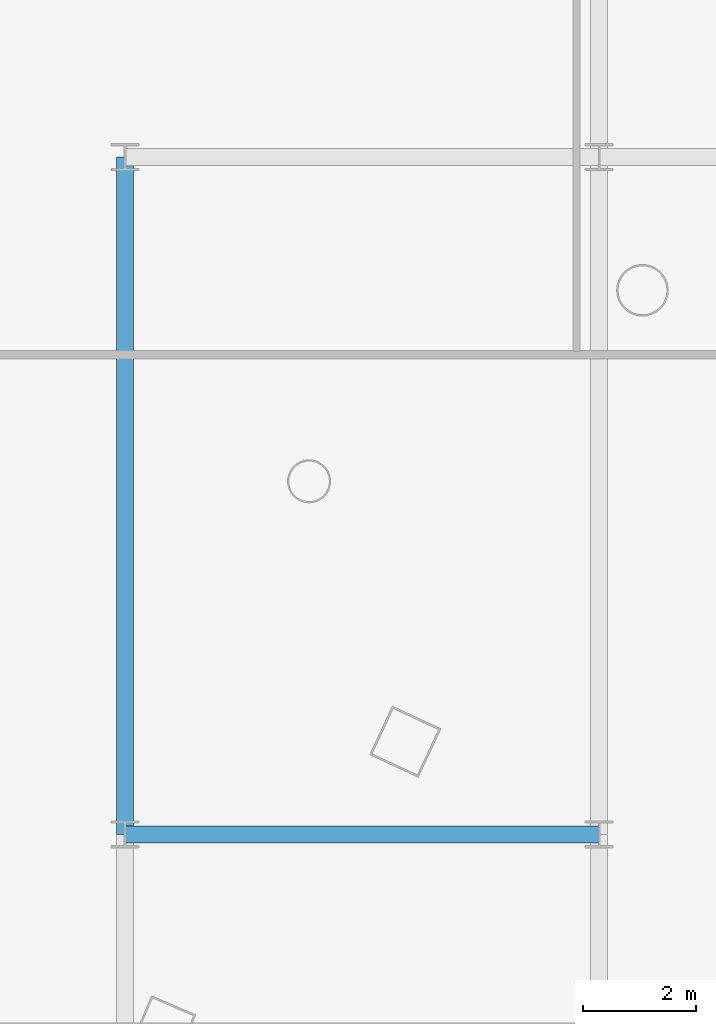
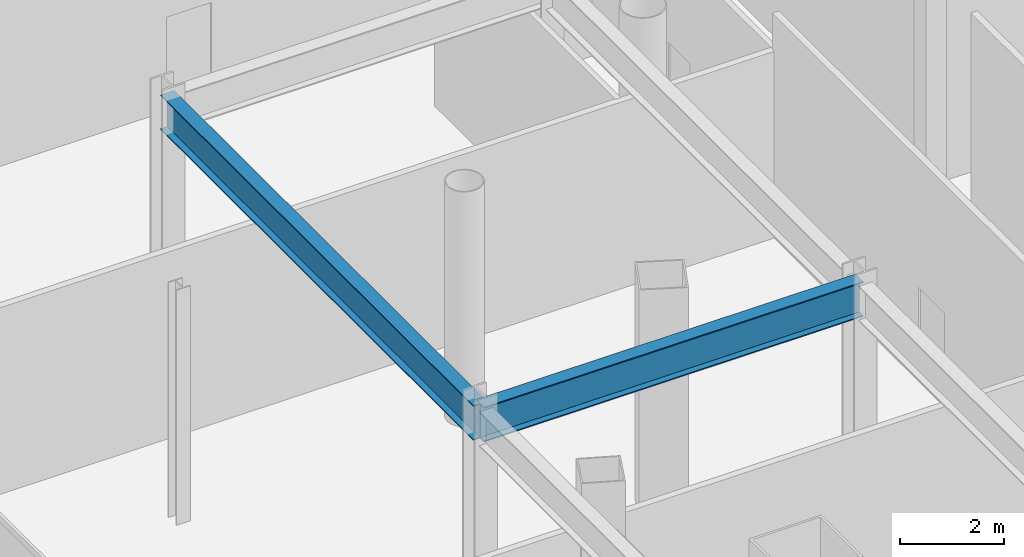
# One storey, part 10 of 38: 2 beams.
"""IFC4 building model written with IfcOpenShell, lengths in metres."""

import ifcopenshell
import ifcopenshell.guid

model = None  # the IFC model being written
_history = None  # IfcOwnerHistory: only IFC2X3 demands one
_inside = {}  # id of a spatial element -> (the spatial element, [elements in it])
_under = {}  # id of a project, library or spatial element -> (it, [spatial elements below it])
_declared = {}  # id of a project -> (the project, [libraries it declares])
_typed = {}  # id of a type object -> (the type object, [elements of that type])
_made_of = {}  # id of a material, layer set ... -> (it, [elements and type objects made of it])


def new_model(schema):
    """Start an empty IFC model of exactly this schema.

    Asked for "IFC4X3", IfcOpenShell would pick the latest addendum, in which some entities
    have other attributes; the version numbers below select the first issue.
    IFC2X3 requires an IfcOwnerHistory on every rooted entity: one is made here for all.
    """
    global model, _history
    if schema == "IFC4X3":
        model = ifcopenshell.file(schema_version=(4, 3, 0, 0))
    else:
        model = ifcopenshell.file(schema=schema)
    _inside.clear()
    _under.clear()
    _declared.clear()
    _typed.clear()
    _made_of.clear()
    _history = None
    if model.schema == "IFC2X3":
        org = make("IfcOrganization", Name="unknown")
        user = make(
            "IfcPersonAndOrganization",
            ThePerson=make("IfcPerson", FamilyName="unknown"),
            TheOrganization=org,
        )
        app = make(
            "IfcApplication",
            ApplicationDeveloper=org,
            Version="unknown",
            ApplicationFullName="unknown",
            ApplicationIdentifier="unknown",
        )
        _history = make(
            "IfcOwnerHistory",
            OwningUser=user,
            OwningApplication=app,
            ChangeAction="ADDED",
            CreationDate=0,
        )
    return model


def make(cls, **values):
    """One entity of the class cls with the attributes given. An attribute that is None is left unset."""
    return model.create_entity(
        cls, **{name: value for name, value in values.items() if value is not None}
    )


def rooted(cls, **values):
    """An entity with a GlobalId (a new one), such as an element, a storey or a relation."""
    return make(cls, GlobalId=ifcopenshell.guid.new(), OwnerHistory=_history, **values)


def si_unit(unit_type, name, prefix=None):
    """IfcSIUnit, for example si_unit("LENGTHUNIT", "METRE", prefix="MILLI")."""
    return make("IfcSIUnit", UnitType=unit_type, Prefix=prefix, Name=name)


def assignment(units):
    """IfcUnitAssignment: the units of a project."""
    return None if units is None else make("IfcUnitAssignment", Units=units)


def point(xyz):
    """IfcCartesianPoint."""
    return None if xyz is None else make("IfcCartesianPoint", Coordinates=xyz)


def direction(xyz):
    """IfcDirection."""
    return None if xyz is None else make("IfcDirection", DirectionRatios=xyz)


def frame(location, z_axis=None, x_axis=None):
    """IfcAxis2Placement3D, a coordinate frame: its origin and axes. An axis left out is left unset."""
    return make(
        "IfcAxis2Placement3D",
        Location=point(location),
        Axis=direction(z_axis),
        RefDirection=direction(x_axis),
    )


def frame_2d(location, x_axis=None):
    """IfcAxis2Placement2D, a coordinate frame in the plane: its origin and x axis."""
    return make(
        "IfcAxis2Placement2D", Location=point(location), RefDirection=direction(x_axis)
    )


def origin():
    """The frame at (0, 0, 0) with its axes left unset."""
    return frame((0.0, 0.0, 0.0))


def origin_2d():
    """The frame at (0, 0) in the plane with its x axis left unset."""
    return frame_2d((0.0, 0.0))


def place(relative_to, where):
    """IfcLocalPlacement: puts the frame where relative to a parent placement (None: the world)."""
    return make(
        "IfcLocalPlacement", PlacementRelTo=relative_to, RelativePlacement=where
    )


def context(
    kind, dimensions, precision=None, world=None, true_north=None, identifier=None
):
    """IfcGeometricRepresentationContext, for example the 3D "Model" context."""
    return make(
        "IfcGeometricRepresentationContext",
        ContextIdentifier=identifier,
        ContextType=kind,
        CoordinateSpaceDimension=dimensions,
        Precision=precision,
        WorldCoordinateSystem=world,
        TrueNorth=true_north,
    )


def subcontext(parent, identifier, kind, view, scale=None):
    """IfcGeometricRepresentationSubContext, for example "Body" below "Model"."""
    return make(
        "IfcGeometricRepresentationSubContext",
        ContextIdentifier=identifier,
        ContextType=kind,
        ParentContext=parent,
        TargetScale=scale,
        TargetView=view,
    )


def project(units=None, contexts=None):
    """IfcProject with its units and contexts."""
    return rooted(
        "IfcProject",
        Name="project",
        RepresentationContexts=contexts,
        UnitsInContext=assignment(units),
    )


def spatial(cls, under=None, at=None, **own):
    """A site, building, storey or space (cls), placed at a placement, below another one or the project."""
    s = rooted(cls, ObjectPlacement=at, **own)
    if under is not None:
        _under.setdefault(under.id(), (under, []))[1].append(s)
    return s


def profile(cls, at=None, kind="AREA", **sizes):
    """A parametric profile (cls). Its sizes go by their IFC names, for example OverallWidth=200.0."""
    return make(cls, ProfileType=kind, Position=at, **sizes)


def i_section(**sizes):
    """IfcIShapeProfileDef."""
    return profile("IfcIShapeProfileDef", **sizes)


def extrude(swept, where, along, depth):
    """IfcExtrudedAreaSolid: the profile swept, set in the frame where, extruded along a direction by depth."""
    return make(
        "IfcExtrudedAreaSolid",
        SweptArea=swept,
        Position=where,
        ExtrudedDirection=direction(along),
        Depth=depth,
    )


def shape(context_of_items, identifier, shape_type, items):
    """IfcShapeRepresentation: the items that make up one representation, for example the "Body"."""
    return make(
        "IfcShapeRepresentation",
        ContextOfItems=context_of_items,
        RepresentationIdentifier=identifier,
        RepresentationType=shape_type,
        Items=items,
    )


def material(Name=None, Category=None):
    """IfcMaterial."""
    return make("IfcMaterial", Name=Name, Category=Category)


def material_profile(
    of_material, cross_section, Name=None, Category=None, Priority=None
):
    """IfcMaterialProfile: a cross section and its material."""
    return make(
        "IfcMaterialProfile",
        Name=Name,
        Material=of_material,
        Profile=cross_section,
        Priority=Priority,
        Category=Category,
    )


def profile_set(profiles, Name=None, composite=None):
    """IfcMaterialProfileSet."""
    return make(
        "IfcMaterialProfileSet",
        Name=Name,
        MaterialProfiles=profiles,
        CompositeProfile=composite,
    )


def made_of(thing, what):
    """Note that an element or type object is made of a material, layer set ...; save() writes the relation."""
    if what is not None:
        _made_of.setdefault(what.id(), (what, []))[1].append(thing)
    return thing


def type_object(cls, material=None, **own):
    """A type object (cls), such as IfcWallType, which elements share."""
    return made_of(rooted(cls, **own), material)


def element(
    cls,
    number,
    at=None,
    inside=None,
    cuts=None,
    type_object=None,
    material=None,
    context=None,
    identifier="Body",
    shape_type=None,
    held_by="IfcProductDefinitionShape",
    body=None,
    shapes=None,
    **own,
):
    """One element of the class cls, such as IfcWall. Its Tag is "e" and its number.

    at: its placement. inside: the storey or other place that contains it. cuts: it is an
    opening in that element (IfcRelVoidsElement). A single representation is given by context,
    identifier, shape_type and body (its items); several are given by shapes. held_by: the class
    of the entity that holds the representations. save() writes the other relations.
    """
    e = rooted(cls, Tag="e%d" % number, ObjectPlacement=at, **own)
    if body is not None:
        shapes = [shape(context, identifier, shape_type, body)]
    if shapes is not None:
        e.Representation = make(held_by, Representations=shapes)
    if inside is not None:
        _inside.setdefault(inside.id(), (inside, []))[1].append(e)
    if cuts is not None:
        rooted(
            "IfcRelVoidsElement", RelatingBuildingElement=cuts, RelatedOpeningElement=e
        )
    if type_object is not None:
        _typed.setdefault(type_object.id(), (type_object, []))[1].append(e)
    return made_of(e, material)


def aggregate(whole, parts):
    """IfcRelAggregates: a whole, such as a stair, and the parts it consists of."""
    return rooted("IfcRelAggregates", RelatingObject=whole, RelatedObjects=parts)


def save(model, path):
    """Write the relations noted so far, then the file.

    IfcRelAggregates (storeys below a building ...), IfcRelContainedInSpatialStructure (elements
    in a storey), IfcRelDefinesByType, IfcRelAssociatesMaterial and IfcRelDeclares: one each for
    every whole, place, type object, material and project.
    """
    for whole, parts in _under.values():
        aggregate(whole, parts)
    for where, things in _inside.values():
        rooted(
            "IfcRelContainedInSpatialStructure",
            RelatedElements=things,
            RelatingStructure=where,
        )
    for kind, things in _typed.values():
        rooted("IfcRelDefinesByType", RelatedObjects=things, RelatingType=kind)
    for what, things in _made_of.values():
        rooted("IfcRelAssociatesMaterial", RelatedObjects=things, RelatingMaterial=what)
    for by, libraries in _declared.values():
        rooted("IfcRelDeclares", RelatingContext=by, RelatedDefinitions=libraries)
    model.write(path)


model = new_model("IFC4")

# Units and contexts
model_context = context("Model", 3, precision=1e-05, world=origin(), true_north=direction((0.0, 1.0)))
body_context = subcontext(model_context, "Body", "Model", "MODEL_VIEW")
ifc_project = project(units=[si_unit("LENGTHUNIT", "METRE"), si_unit("AREAUNIT", "SQUARE_METRE"), si_unit("VOLUMEUNIT", "CUBIC_METRE"), si_unit("PLANEANGLEUNIT", "RADIAN"), si_unit("MASSUNIT", "GRAM", prefix="KILO")], contexts=[model_context])

# Site, building, storey
site_placement = place(None, origin())
site = spatial("IfcSite", under=ifc_project, at=site_placement, CompositionType="ELEMENT")
building_placement = place(site_placement, origin())
building = spatial("IfcBuilding", under=site, at=building_placement, Name="Orvanel Arch Residences", CompositionType="ELEMENT")
storey_placement = place(building_placement, origin())
storey = spatial("IfcBuildingStorey", under=building, at=storey_placement, Name="L00", CompositionType="ELEMENT", Elevation=0.0)

# Beams
ifc_material = material(Name="Structural steel AS/NZS 3678 Grade 350", Category="steel")
ifc_material_profile = material_profile(ifc_material, i_section(OverallWidth=0.300048828125, OverallDepth=0.81591796875, WebThickness=0.013916015625, FlangeThickness=0.02392578125, at=origin_2d()), Name="800WB192")
ifc_profile_set = profile_set([ifc_material_profile], Name="Structural steel AS/NZS 3678 Grade 350")
beam_type = type_object("IfcBeamType", Name="BG-800WB", PredefinedType="BEAM", material=ifc_profile_set)
beam_1_placement = place(storey_placement, frame((11.39990234375, 18.0, 4.81201171875), z_axis=(1.0, 0.0, 0.0), x_axis=(0.0, 1.0, 0.0)))
element("IfcBeam", 1, at=beam_1_placement, inside=storey, type_object=beam_type, Name="L00 BG-800WB beam", PredefinedType="BEAM", context=body_context, shape_type="SweptSolid", body=[
    extrude(i_section(OverallWidth=0.300048828125, OverallDepth=0.81591796875, WebThickness=0.013916015625, FlangeThickness=0.02392578125, at=origin_2d()), origin(), (0.0, 0.0, 1.0), 8.400146484375),
])
beam_2_placement = place(storey_placement, frame((11.39990234375, 18.0, 4.81201171875), z_axis=(0.0, 1.0, 0.0), x_axis=(-1.0, 0.0, 0.0)))
element("IfcBeam", 2, at=beam_2_placement, inside=storey, type_object=beam_type, Name="L00 North-South Podium Girder XW11-M", PredefinedType="BEAM", context=body_context, shape_type="SweptSolid", body=[
    extrude(i_section(OverallWidth=0.300048828125, OverallDepth=0.81591796875, WebThickness=0.013916015625, FlangeThickness=0.02392578125, at=origin_2d()), origin(), (0.0, 0.0, 1.0), 12.0),
])

save(model, "model.ifc")
